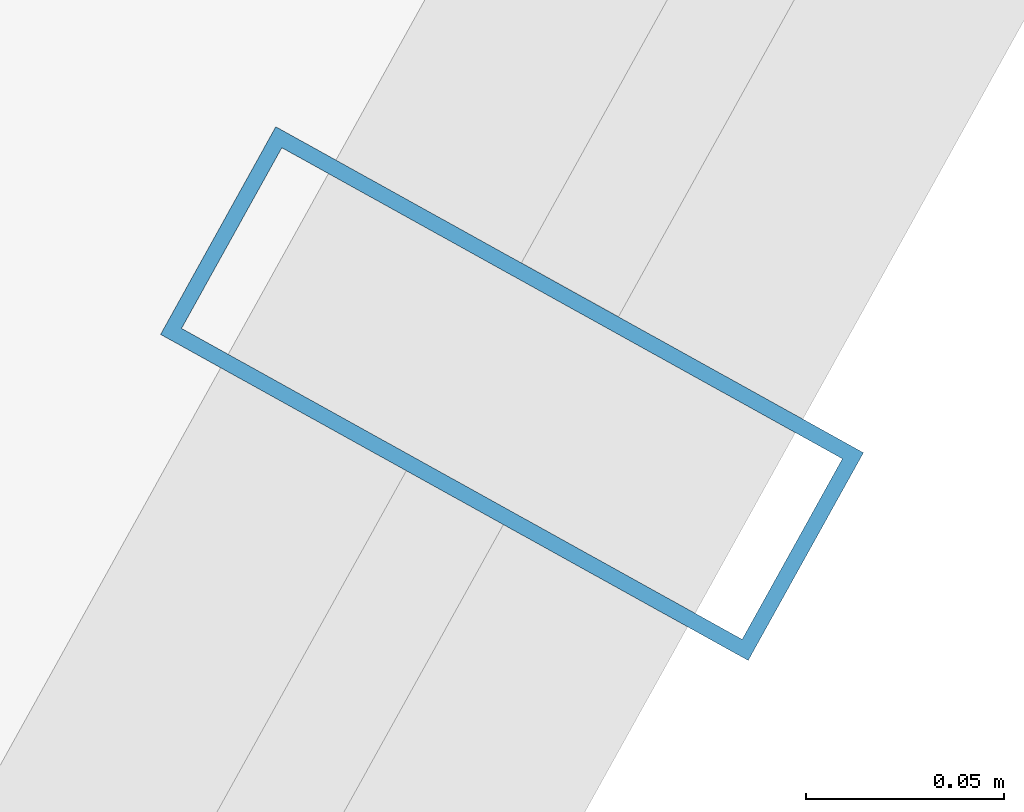
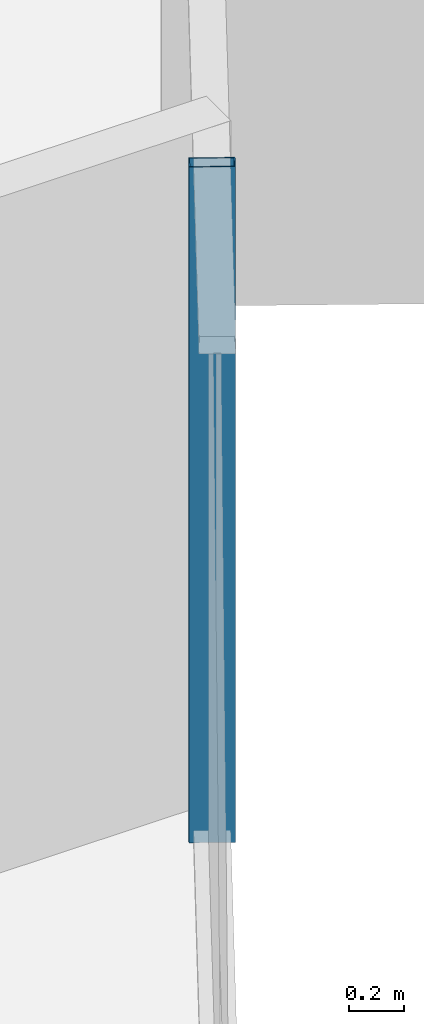
# One storey, part 16 of 39: 1 member, 1 element without a shape of its own.
"""IFC4 building model written with IfcOpenShell, lengths in metres."""

from ifc_helpers import new_model, si_unit, direction, frame, origin, origin_2d, place, context, subcontext, project, spatial, hollow_rectangle, extrude, source, transform, mapped, material, layer, layer_set, material_profile, profile_set, type_object, element, aggregate, save


model = new_model("IFC4")

# Units and contexts
model_context = context("Model", 3, precision=1e-05, world=origin(), true_north=direction((0.0, 1.0)))
body_context = subcontext(model_context, "Body", "Model", "MODEL_VIEW")
ifc_project = project(units=[si_unit("LENGTHUNIT", "METRE"), si_unit("AREAUNIT", "SQUARE_METRE"), si_unit("VOLUMEUNIT", "CUBIC_METRE"), si_unit("PLANEANGLEUNIT", "RADIAN"), si_unit("MASSUNIT", "GRAM", prefix="KILO")], contexts=[model_context])

# Site, building, storey
site_placement = place(None, origin())
site = spatial("IfcSite", under=ifc_project, at=site_placement, CompositionType="ELEMENT")
building_placement = place(site_placement, origin())
building = spatial("IfcBuilding", under=site, at=building_placement, Name="Veraguas Prism Commons", CompositionType="ELEMENT")
storey_placement = place(building_placement, frame((0.0, 0.0, 27.300048828125)))
storey = spatial("IfcBuildingStorey", under=building, at=storey_placement, Name="L06", CompositionType="ELEMENT", Elevation=27.300048828125)

# Curtain wall, member
ifc_material = material(Name="Anodised aluminium EN AW-6063 T6", Category="aluminium")
ifc_layer = layer(ifc_material, 0.169921875, Name="Unitised Flush Curtain Wall Zone 1", Category="aluminium")
ifc_layer_set = layer_set([ifc_layer], Name="Anodised aluminium EN AW-6063 T6")
curtain_wall_type = type_object("IfcCurtainWallType", Name="Unitised Flush Curtain Wall Zone 1", PredefinedType="NOTDEFINED", material=ifc_layer_set)
curtain_wall_placement = place(storey_placement, origin())
curtain_wall = element("IfcCurtainWall", 1, at=curtain_wall_placement, inside=storey, type_object=curtain_wall_type, Name="Tower Facade Curtain Wall L06-F6", PredefinedType="NOTDEFINED")
ifc_material_profile = material_profile(ifc_material, hollow_rectangle(XDim=0.06005859375, YDim=0.169921875, WallThickness=0.00390625, at=origin_2d()), Name="AL60X170X4")
ifc_profile_set = profile_set([ifc_material_profile], Name="Anodised aluminium EN AW-6063 T6")
member_type = type_object("IfcMemberType", Name="Curtain Wall Mullion Lower AL 60x170x4", PredefinedType="MULLION", material=ifc_profile_set)
shared_shape = source(origin(), body_context, "Body", "SweptSolid", [
    extrude(hollow_rectangle(XDim=0.06005859375, YDim=0.169921875, WallThickness=0.00390625, at=origin_2d()), origin(), (0.0, 0.0, 1.0), 3.0),
])
member_placement = place(storey_placement, frame((42.175048828125, 13.9169921875, 0.0), z_axis=(0.0, 0.0, 1.0), x_axis=(0.485116416779, 0.874449576689, 0.0)))
member = element("IfcMember", 2, at=member_placement, type_object=member_type, Name="CW-Z1 Mullion 3", PredefinedType="MULLION", context=body_context, shape_type="MappedRepresentation", body=[
    mapped(shared_shape, transform((0.0, 0.0, 0.0), scale=1.0)),
])
aggregate(curtain_wall, [member])

save(model, "model.ifc")
